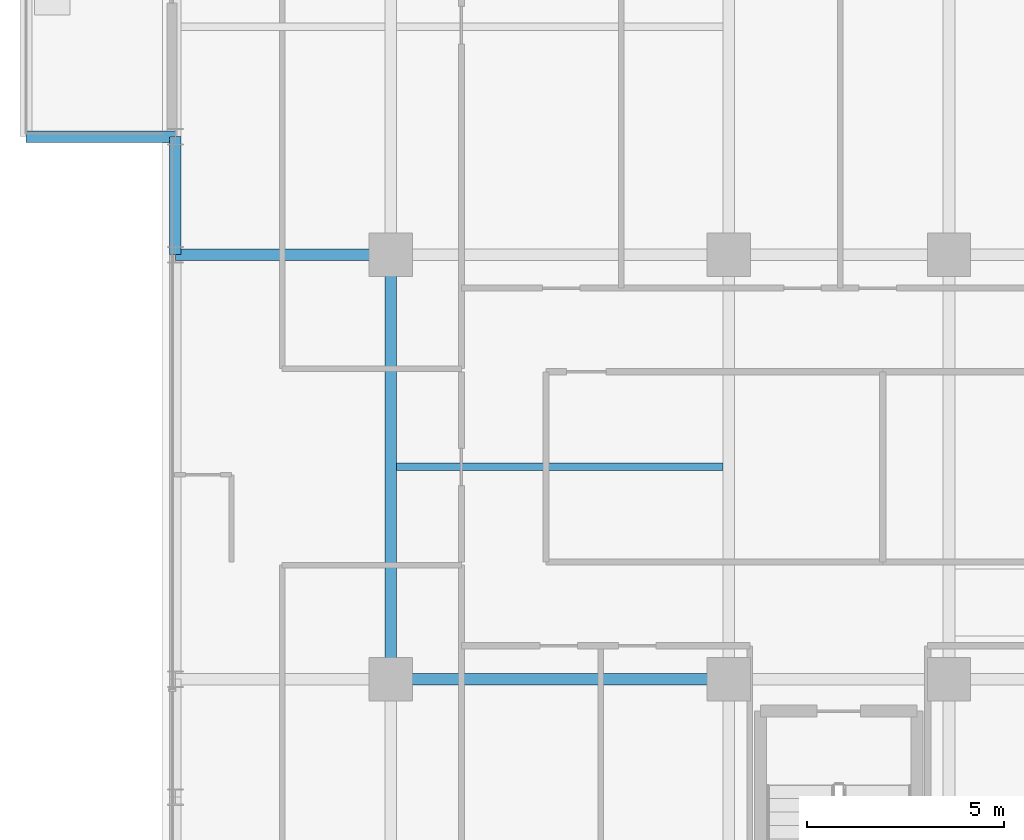
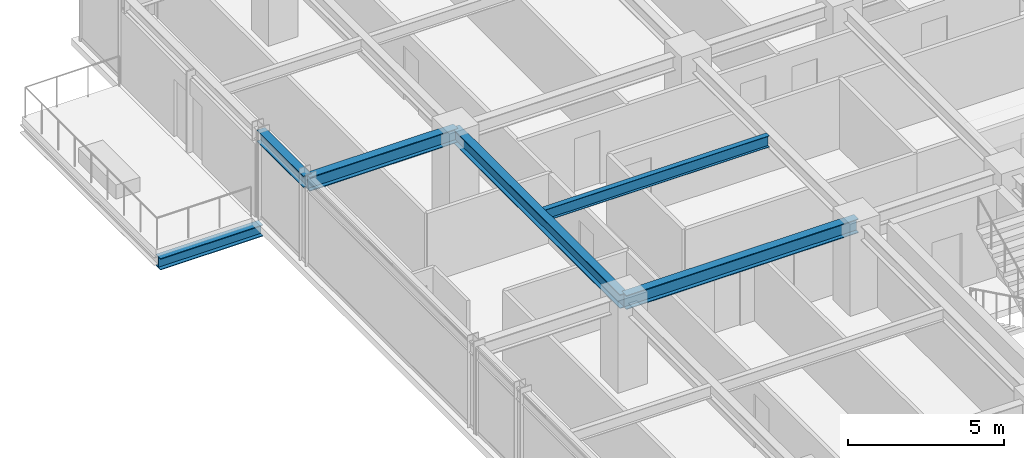
# One storey, part 7 of 32: 6 beams.
"""IFC4 building model written with IfcOpenShell, lengths in metres."""

import ifcopenshell
import ifcopenshell.guid

model = None  # the IFC model being written
_history = None  # IfcOwnerHistory: only IFC2X3 demands one
_inside = {}  # id of a spatial element -> (the spatial element, [elements in it])
_under = {}  # id of a project, library or spatial element -> (it, [spatial elements below it])
_declared = {}  # id of a project -> (the project, [libraries it declares])
_typed = {}  # id of a type object -> (the type object, [elements of that type])
_made_of = {}  # id of a material, layer set ... -> (it, [elements and type objects made of it])


def new_model(schema):
    """Start an empty IFC model of exactly this schema.

    Asked for "IFC4X3", IfcOpenShell would pick the latest addendum, in which some entities
    have other attributes; the version numbers below select the first issue.
    IFC2X3 requires an IfcOwnerHistory on every rooted entity: one is made here for all.
    """
    global model, _history
    if schema == "IFC4X3":
        model = ifcopenshell.file(schema_version=(4, 3, 0, 0))
    else:
        model = ifcopenshell.file(schema=schema)
    _inside.clear()
    _under.clear()
    _declared.clear()
    _typed.clear()
    _made_of.clear()
    _history = None
    if model.schema == "IFC2X3":
        org = make("IfcOrganization", Name="unknown")
        user = make(
            "IfcPersonAndOrganization",
            ThePerson=make("IfcPerson", FamilyName="unknown"),
            TheOrganization=org,
        )
        app = make(
            "IfcApplication",
            ApplicationDeveloper=org,
            Version="unknown",
            ApplicationFullName="unknown",
            ApplicationIdentifier="unknown",
        )
        _history = make(
            "IfcOwnerHistory",
            OwningUser=user,
            OwningApplication=app,
            ChangeAction="ADDED",
            CreationDate=0,
        )
    return model


def make(cls, **values):
    """One entity of the class cls with the attributes given. An attribute that is None is left unset."""
    return model.create_entity(
        cls, **{name: value for name, value in values.items() if value is not None}
    )


def rooted(cls, **values):
    """An entity with a GlobalId (a new one), such as an element, a storey or a relation."""
    return make(cls, GlobalId=ifcopenshell.guid.new(), OwnerHistory=_history, **values)


def si_unit(unit_type, name, prefix=None):
    """IfcSIUnit, for example si_unit("LENGTHUNIT", "METRE", prefix="MILLI")."""
    return make("IfcSIUnit", UnitType=unit_type, Prefix=prefix, Name=name)


def assignment(units):
    """IfcUnitAssignment: the units of a project."""
    return None if units is None else make("IfcUnitAssignment", Units=units)


def point(xyz):
    """IfcCartesianPoint."""
    return None if xyz is None else make("IfcCartesianPoint", Coordinates=xyz)


def direction(xyz):
    """IfcDirection."""
    return None if xyz is None else make("IfcDirection", DirectionRatios=xyz)


def frame(location, z_axis=None, x_axis=None):
    """IfcAxis2Placement3D, a coordinate frame: its origin and axes. An axis left out is left unset."""
    return make(
        "IfcAxis2Placement3D",
        Location=point(location),
        Axis=direction(z_axis),
        RefDirection=direction(x_axis),
    )


def frame_2d(location, x_axis=None):
    """IfcAxis2Placement2D, a coordinate frame in the plane: its origin and x axis."""
    return make(
        "IfcAxis2Placement2D", Location=point(location), RefDirection=direction(x_axis)
    )


def origin():
    """The frame at (0, 0, 0) with its axes left unset."""
    return frame((0.0, 0.0, 0.0))


def origin_2d():
    """The frame at (0, 0) in the plane with its x axis left unset."""
    return frame_2d((0.0, 0.0))


def place(relative_to, where):
    """IfcLocalPlacement: puts the frame where relative to a parent placement (None: the world)."""
    return make(
        "IfcLocalPlacement", PlacementRelTo=relative_to, RelativePlacement=where
    )


def context(
    kind, dimensions, precision=None, world=None, true_north=None, identifier=None
):
    """IfcGeometricRepresentationContext, for example the 3D "Model" context."""
    return make(
        "IfcGeometricRepresentationContext",
        ContextIdentifier=identifier,
        ContextType=kind,
        CoordinateSpaceDimension=dimensions,
        Precision=precision,
        WorldCoordinateSystem=world,
        TrueNorth=true_north,
    )


def subcontext(parent, identifier, kind, view, scale=None):
    """IfcGeometricRepresentationSubContext, for example "Body" below "Model"."""
    return make(
        "IfcGeometricRepresentationSubContext",
        ContextIdentifier=identifier,
        ContextType=kind,
        ParentContext=parent,
        TargetScale=scale,
        TargetView=view,
    )


def project(units=None, contexts=None):
    """IfcProject with its units and contexts."""
    return rooted(
        "IfcProject",
        Name="project",
        RepresentationContexts=contexts,
        UnitsInContext=assignment(units),
    )


def spatial(cls, under=None, at=None, **own):
    """A site, building, storey or space (cls), placed at a placement, below another one or the project."""
    s = rooted(cls, ObjectPlacement=at, **own)
    if under is not None:
        _under.setdefault(under.id(), (under, []))[1].append(s)
    return s


def profile(cls, at=None, kind="AREA", **sizes):
    """A parametric profile (cls). Its sizes go by their IFC names, for example OverallWidth=200.0."""
    return make(cls, ProfileType=kind, Position=at, **sizes)


def i_section(**sizes):
    """IfcIShapeProfileDef."""
    return profile("IfcIShapeProfileDef", **sizes)


def extrude(swept, where, along, depth):
    """IfcExtrudedAreaSolid: the profile swept, set in the frame where, extruded along a direction by depth."""
    return make(
        "IfcExtrudedAreaSolid",
        SweptArea=swept,
        Position=where,
        ExtrudedDirection=direction(along),
        Depth=depth,
    )


def shape(context_of_items, identifier, shape_type, items):
    """IfcShapeRepresentation: the items that make up one representation, for example the "Body"."""
    return make(
        "IfcShapeRepresentation",
        ContextOfItems=context_of_items,
        RepresentationIdentifier=identifier,
        RepresentationType=shape_type,
        Items=items,
    )


def source(mapping_origin, context_of_items, identifier, shape_type, items):
    """IfcRepresentationMap: a shape defined once, which mapped items show again and again."""
    return make(
        "IfcRepresentationMap",
        MappingOrigin=mapping_origin,
        MappedRepresentation=shape(context_of_items, identifier, shape_type, items),
    )


def transform(
    local_origin,
    x_axis=None,
    y_axis=None,
    z_axis=None,
    scale=None,
    scale2=None,
    scale3=None,
    uniform=True,
):
    """IfcCartesianTransformationOperator3D, or its non-uniform kind. x_axis, y_axis, z_axis: its Axis1, 2, 3."""
    if uniform:
        return make(
            "IfcCartesianTransformationOperator3D",
            Axis1=direction(x_axis),
            Axis2=direction(y_axis),
            LocalOrigin=point(local_origin),
            Scale=scale,
            Axis3=direction(z_axis),
        )
    return make(
        "IfcCartesianTransformationOperator3DnonUniform",
        Axis1=direction(x_axis),
        Axis2=direction(y_axis),
        LocalOrigin=point(local_origin),
        Scale=scale,
        Axis3=direction(z_axis),
        Scale2=scale2,
        Scale3=scale3,
    )


def mapped(mapping_source, mapping_target):
    """IfcMappedItem: shows the shape of a source again, moved by a transform."""
    return make(
        "IfcMappedItem", MappingSource=mapping_source, MappingTarget=mapping_target
    )


def material(Name=None, Category=None):
    """IfcMaterial."""
    return make("IfcMaterial", Name=Name, Category=Category)


def material_profile(
    of_material, cross_section, Name=None, Category=None, Priority=None
):
    """IfcMaterialProfile: a cross section and its material."""
    return make(
        "IfcMaterialProfile",
        Name=Name,
        Material=of_material,
        Profile=cross_section,
        Priority=Priority,
        Category=Category,
    )


def profile_set(profiles, Name=None, composite=None):
    """IfcMaterialProfileSet."""
    return make(
        "IfcMaterialProfileSet",
        Name=Name,
        MaterialProfiles=profiles,
        CompositeProfile=composite,
    )


def made_of(thing, what):
    """Note that an element or type object is made of a material, layer set ...; save() writes the relation."""
    if what is not None:
        _made_of.setdefault(what.id(), (what, []))[1].append(thing)
    return thing


def type_object(cls, material=None, **own):
    """A type object (cls), such as IfcWallType, which elements share."""
    return made_of(rooted(cls, **own), material)


def element(
    cls,
    number,
    at=None,
    inside=None,
    cuts=None,
    type_object=None,
    material=None,
    context=None,
    identifier="Body",
    shape_type=None,
    held_by="IfcProductDefinitionShape",
    body=None,
    shapes=None,
    **own,
):
    """One element of the class cls, such as IfcWall. Its Tag is "e" and its number.

    at: its placement. inside: the storey or other place that contains it. cuts: it is an
    opening in that element (IfcRelVoidsElement). A single representation is given by context,
    identifier, shape_type and body (its items); several are given by shapes. held_by: the class
    of the entity that holds the representations. save() writes the other relations.
    """
    e = rooted(cls, Tag="e%d" % number, ObjectPlacement=at, **own)
    if body is not None:
        shapes = [shape(context, identifier, shape_type, body)]
    if shapes is not None:
        e.Representation = make(held_by, Representations=shapes)
    if inside is not None:
        _inside.setdefault(inside.id(), (inside, []))[1].append(e)
    if cuts is not None:
        rooted(
            "IfcRelVoidsElement", RelatingBuildingElement=cuts, RelatedOpeningElement=e
        )
    if type_object is not None:
        _typed.setdefault(type_object.id(), (type_object, []))[1].append(e)
    return made_of(e, material)


def aggregate(whole, parts):
    """IfcRelAggregates: a whole, such as a stair, and the parts it consists of."""
    return rooted("IfcRelAggregates", RelatingObject=whole, RelatedObjects=parts)


def save(model, path):
    """Write the relations noted so far, then the file.

    IfcRelAggregates (storeys below a building ...), IfcRelContainedInSpatialStructure (elements
    in a storey), IfcRelDefinesByType, IfcRelAssociatesMaterial and IfcRelDeclares: one each for
    every whole, place, type object, material and project.
    """
    for whole, parts in _under.values():
        aggregate(whole, parts)
    for where, things in _inside.values():
        rooted(
            "IfcRelContainedInSpatialStructure",
            RelatedElements=things,
            RelatingStructure=where,
        )
    for kind, things in _typed.values():
        rooted("IfcRelDefinesByType", RelatedObjects=things, RelatingType=kind)
    for what, things in _made_of.values():
        rooted("IfcRelAssociatesMaterial", RelatedObjects=things, RelatingMaterial=what)
    for by, libraries in _declared.values():
        rooted("IfcRelDeclares", RelatingContext=by, RelatedDefinitions=libraries)
    model.write(path)


model = new_model("IFC4")

# Units and contexts
model_context = context("Model", 3, precision=1e-05, world=origin(), true_north=direction((0.0, 1.0)))
body_context = subcontext(model_context, "Body", "Model", "MODEL_VIEW")
ifc_project = project(units=[si_unit("LENGTHUNIT", "METRE"), si_unit("AREAUNIT", "SQUARE_METRE"), si_unit("VOLUMEUNIT", "CUBIC_METRE"), si_unit("PLANEANGLEUNIT", "RADIAN"), si_unit("MASSUNIT", "GRAM", prefix="KILO")], contexts=[model_context])

# Site, building, storey
site_placement = place(None, origin())
site = spatial("IfcSite", under=ifc_project, at=site_placement, CompositionType="ELEMENT")
building_placement = place(site_placement, origin())
building = spatial("IfcBuilding", under=site, at=building_placement, Name="Nahalor Promenade Grand Hotel", CompositionType="ELEMENT")
storey_placement = place(building_placement, frame((0.0, 0.0, 152.64990234375)))
storey = spatial("IfcBuildingStorey", under=building, at=storey_placement, Name="L38", CompositionType="ELEMENT", Elevation=152.64990234375)

# Beams
ifc_material = material(Name="Steel S355JR", Category="steel")
ifc_material_profile_1 = material_profile(ifc_material, i_section(OverallWidth=0.3, OverallDepth=0.45, WebThickness=0.014, FlangeThickness=0.026, at=origin_2d()), Name="HEB 450")
ifc_profile_set_1 = profile_set([ifc_material_profile_1], Name="Steel S355JR")
beam_type_1 = type_object("IfcBeamType", Name="Beam-Outrigger-HEB450", PredefinedType="BEAM", material=ifc_profile_set_1)
shared_shape_1 = source(origin(), body_context, "Body", "SweptSolid", [
    extrude(i_section(OverallWidth=0.3, OverallDepth=0.45, WebThickness=0.014, FlangeThickness=0.026, at=origin_2d()), origin(), (0.0, 0.0, 1.0), 3.800048828125),
])
beam_1_placement = place(storey_placement, frame((-26.280029296875, 8.39990234375, -0.5048828125), z_axis=(1.0, 0.0, 0.0), x_axis=(0.0, 1.0, 0.0)))
element("IfcBeam", 1, at=beam_1_placement, inside=storey, type_object=beam_type_1, Name="BM-L38-BC-02-1", PredefinedType="BEAM", context=body_context, shape_type="MappedRepresentation", body=[
    mapped(shared_shape_1, transform((0.0, 0.0, 0.0), scale=1.0)),
])
ifc_material_profile_2 = material_profile(ifc_material, i_section(OverallWidth=0.3, OverallDepth=0.55, WebThickness=0.015, FlangeThickness=0.029, at=origin_2d()), Name="HEB 550")
ifc_profile_set_2 = profile_set([ifc_material_profile_2], Name="Steel S355JR")
beam_type_2 = type_object("IfcBeamType", Name="Beam-Girder-HEB550", PredefinedType="BEAM", material=ifc_profile_set_2)
shared_shape_2 = source(origin(), body_context, "Body", "SweptSolid", [
    extrude(i_section(OverallWidth=0.3, OverallDepth=0.55, WebThickness=0.015, FlangeThickness=0.029, at=origin_2d()), origin(), (0.0, 0.0, 1.0), 8.60009765625),
])
beam_2_placement = place(storey_placement, frame((-17.0, -5.39990234375, 3.114990234375), z_axis=(1.0, 0.0, 0.0), x_axis=(0.0, 1.0, 0.0)))
element("IfcBeam", 2, at=beam_2_placement, inside=storey, type_object=beam_type_2, Name="BM-L38-GX-1-1", PredefinedType="BEAM", context=body_context, shape_type="MappedRepresentation", body=[
    mapped(shared_shape_2, transform((0.0, 0.0, 0.0), scale=1.0)),
])
shared_shape_3 = source(origin(), body_context, "Body", "SweptSolid", [
    extrude(i_section(OverallWidth=0.3, OverallDepth=0.55, WebThickness=0.015, FlangeThickness=0.029, at=origin_2d()), origin(), (0.0, 0.0, 1.0), 10.7998046875),
])
beam_3_placement = place(storey_placement, frame((-17.0, -5.39990234375, 3.114990234375), z_axis=(0.0, 1.0, 0.0), x_axis=(-1.0, 0.0, 0.0)))
element("IfcBeam", 3, at=beam_3_placement, inside=storey, type_object=beam_type_2, Name="BM-L38-GY-0-2", PredefinedType="BEAM", context=body_context, shape_type="MappedRepresentation", body=[
    mapped(shared_shape_3, transform((0.0, 0.0, 0.0), scale=1.0)),
])
ifc_material_profile_3 = material_profile(ifc_material, i_section(OverallWidth=0.19, OverallDepth=0.45, WebThickness=0.0094, FlangeThickness=0.0146, at=origin_2d()), Name="IPE 450")
ifc_profile_set_3 = profile_set([ifc_material_profile_3], Name="Steel S355JR")
beam_type_3 = type_object("IfcBeamType", Name="Beam-Joist-IPE450", PredefinedType="JOIST", material=ifc_profile_set_3)
shared_shape_4 = source(origin(), body_context, "Body", "SweptSolid", [
    extrude(i_section(OverallWidth=0.19, OverallDepth=0.45, WebThickness=0.0094, FlangeThickness=0.0146, at=origin_2d()), origin(), (0.0, 0.0, 1.0), 8.300048828125),
])
beam_4_placement = place(storey_placement, frame((-16.85009765625, 0.0, 3.1650390625), z_axis=(1.0, 0.0, 0.0), x_axis=(0.0, 1.0, 0.0)))
element("IfcBeam", 4, at=beam_4_placement, inside=storey, type_object=beam_type_3, Name="BM-L38-JSC-0", PredefinedType="JOIST", context=body_context, shape_type="MappedRepresentation", body=[
    mapped(shared_shape_4, transform((0.0, 0.0, 0.0), scale=1.0)),
])
shared_shape_5 = source(origin(), body_context, "Body", "SweptSolid", [
    extrude(i_section(OverallWidth=0.3, OverallDepth=0.55, WebThickness=0.015, FlangeThickness=0.029, at=origin_2d()), origin(), (0.0, 0.0, 1.0), 5.47998046875),
])
beam_5_placement = place(storey_placement, frame((-22.47998046875, 5.39990234375, 3.114990234375), z_axis=(1.0, 0.0, 0.0), x_axis=(0.0, 1.0, 0.0)))
element("IfcBeam", 5, at=beam_5_placement, inside=storey, type_object=beam_type_2, Name="BM-L38-GX-2-0", PredefinedType="BEAM", context=body_context, shape_type="MappedRepresentation", body=[
    mapped(shared_shape_5, transform((0.0, 0.0, 0.0), scale=1.0)),
])
ifc_material_profile_4 = material_profile(ifc_material, i_section(OverallWidth=0.3, OverallDepth=0.45, WebThickness=0.014, FlangeThickness=0.026, at=origin_2d()), Name="HEB 450")
ifc_profile_set_4 = profile_set([ifc_material_profile_4], Name="Steel S355JR")
beam_type_4 = type_object("IfcBeamType", Name="Beam-Spandrel-HEB450", PredefinedType="SPANDREL", material=ifc_profile_set_4)
shared_shape_6 = source(origin(), body_context, "Body", "SweptSolid", [
    extrude(i_section(OverallWidth=0.3, OverallDepth=0.45, WebThickness=0.014, FlangeThickness=0.026, at=origin_2d()), origin(), (0.0, 0.0, 1.0), 3.0),
])
beam_6_placement = place(storey_placement, frame((-22.47998046875, 5.39990234375, 3.1650390625), z_axis=(0.0, 1.0, 0.0), x_axis=(-1.0, 0.0, 0.0)))
element("IfcBeam", 6, at=beam_6_placement, inside=storey, type_object=beam_type_4, Name="BM-L38-SP-W-3", PredefinedType="SPANDREL", context=body_context, shape_type="MappedRepresentation", body=[
    mapped(shared_shape_6, transform((0.0, 0.0, 0.0), scale=1.0)),
])

save(model, "model.ifc")
